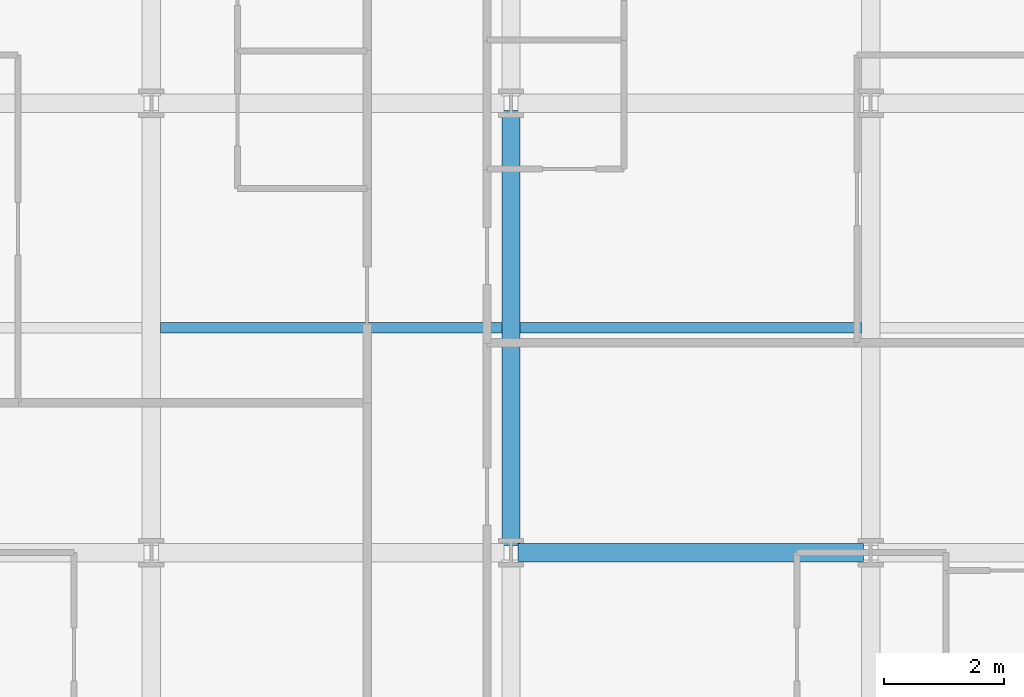
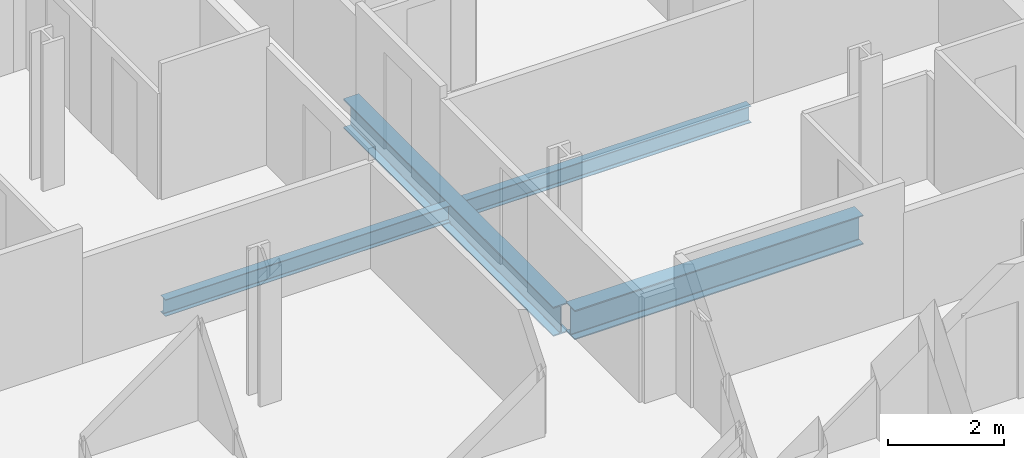
# One storey, part 6 of 41: 4 beams.
"""IFC4 building model written with IfcOpenShell, lengths in metres."""

from ifc_helpers import new_model, si_unit, direction, frame, origin, origin_2d, place, context, subcontext, project, spatial, i_section, extrude, material, material_profile, profile_set, type_object, element, save


model = new_model("IFC4")

# Units and contexts
model_context = context("Model", 3, precision=1e-05, world=origin(), true_north=direction((0.0, 1.0)))
body_context = subcontext(model_context, "Body", "Model", "MODEL_VIEW")
ifc_project = project(units=[si_unit("LENGTHUNIT", "METRE"), si_unit("AREAUNIT", "SQUARE_METRE"), si_unit("VOLUMEUNIT", "CUBIC_METRE"), si_unit("PLANEANGLEUNIT", "RADIAN"), si_unit("MASSUNIT", "GRAM", prefix="KILO")], contexts=[model_context])

# Site, building, storey
site_placement = place(None, origin())
site = spatial("IfcSite", under=ifc_project, at=site_placement, CompositionType="ELEMENT")
building_placement = place(site_placement, origin())
building = spatial("IfcBuilding", under=site, at=building_placement, Name="Brevholm Reach", CompositionType="ELEMENT")
storey_placement = place(building_placement, frame((0.0, 0.0, 49.699951171875)))
storey = spatial("IfcBuildingStorey", under=building, at=storey_placement, Name="L13", CompositionType="ELEMENT", Elevation=49.699951171875)

# Beams
ifc_material_1 = material(Name="Structural Steel S355J2", Category="steel")
ifc_material_profile_1 = material_profile(ifc_material_1, i_section(OverallWidth=0.17138671875, OverallDepth=0.35498046875, WebThickness=0.00732421875, FlangeThickness=0.011474609375, FilletRadius=0.01025390625, at=origin_2d()), Name="UKB 356x171x51")
ifc_profile_set_1 = profile_set([ifc_material_profile_1], Name="Structural Steel S355J2")
beam_type_1 = type_object("IfcBeamType", Name="BM-B356", PredefinedType="BEAM", material=ifc_profile_set_1)
for number, where, z_axis, x_axis, name in (
    (1, (6.153564453125, 19.75, -0.407470703125), (1.0, 0.0, 0.0), (0.0, 1.0, 0.0), "L13 Composite Secondary Floor Beam"),
    (2, (12.153564453125, 19.75, -0.407470703125), (1.0, 0.0, 0.0), (0.0, 1.0, 0.0), "L13 Composite Secondary Floor Beam"),
):
    element("IfcBeam", number, at=place(storey_placement, frame(where, z_axis=z_axis, x_axis=x_axis)), inside=storey, type_object=beam_type_1, Name=name, PredefinedType="BEAM", context=body_context, shape_type="SweptSolid", body=[
        extrude(i_section(OverallWidth=0.17138671875, OverallDepth=0.35498046875, WebThickness=0.00732421875, FlangeThickness=0.011474609375, FilletRadius=0.01025390625, at=origin_2d()), origin(), (0.0, 0.0, 1.0), 5.69287109375),
    ])
ifc_material_2 = material(Name="Structural Steel S355J2", Category="steel")
ifc_material_profile_2 = material_profile(ifc_material_2, i_section(OverallWidth=0.30712890625, OverallDepth=0.6201171875, WebThickness=0.01416015625, FlangeThickness=0.023681640625, FilletRadius=0.0166015625, at=origin_2d()), Name="UKB 610x305x179")
ifc_profile_set_2 = profile_set([ifc_material_profile_2], Name="Structural Steel S355J2")
beam_type_2 = type_object("IfcBeamType", Name="BM-UKB610H", PredefinedType="USERDEFINED", material=ifc_profile_set_2)
beam_1_placement = place(storey_placement, frame((12.1201171875, 16.0, -0.5400390625), z_axis=(1.0, 0.0, 0.0), x_axis=(0.0, 1.0, 0.0)))
element("IfcBeam", 3, at=beam_1_placement, inside=storey, type_object=beam_type_2, Name="L13 G-06 Framing Beam", ObjectType="GIRDER", PredefinedType="USERDEFINED", context=body_context, shape_type="SweptSolid", body=[
    extrude(i_section(OverallWidth=0.30712890625, OverallDepth=0.6201171875, WebThickness=0.01416015625, FlangeThickness=0.023681640625, FilletRadius=0.0166015625, at=origin_2d()), origin(), (0.0, 0.0, 1.0), 5.759765625),
])
beam_2_placement = place(storey_placement, frame((12.0, 16.1201171875, -0.5400390625), z_axis=(0.0, 1.0, 0.0), x_axis=(-1.0, 0.0, 0.0)))
element("IfcBeam", 4, at=beam_2_placement, inside=storey, type_object=beam_type_2, Name="L13 G-06 Framing Beam", ObjectType="GIRDER", PredefinedType="USERDEFINED", context=body_context, shape_type="SweptSolid", body=[
    extrude(i_section(OverallWidth=0.30712890625, OverallDepth=0.6201171875, WebThickness=0.01416015625, FlangeThickness=0.023681640625, FilletRadius=0.0166015625, at=origin_2d()), origin(), (0.0, 0.0, 1.0), 7.259765625),
])

save(model, "model.ifc")
